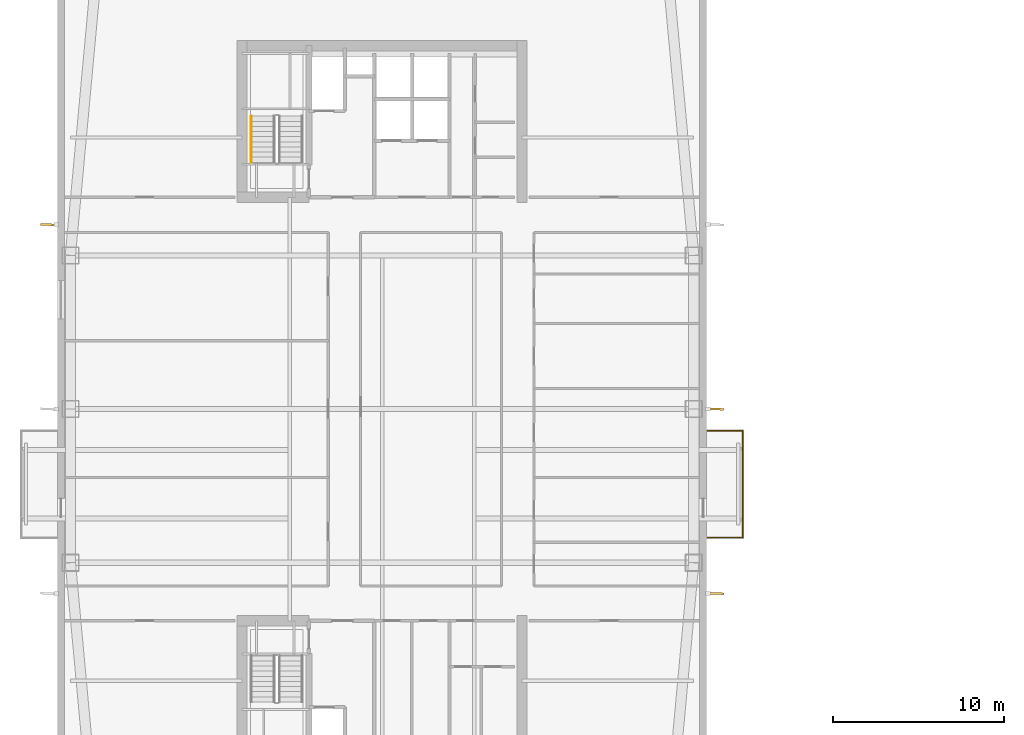
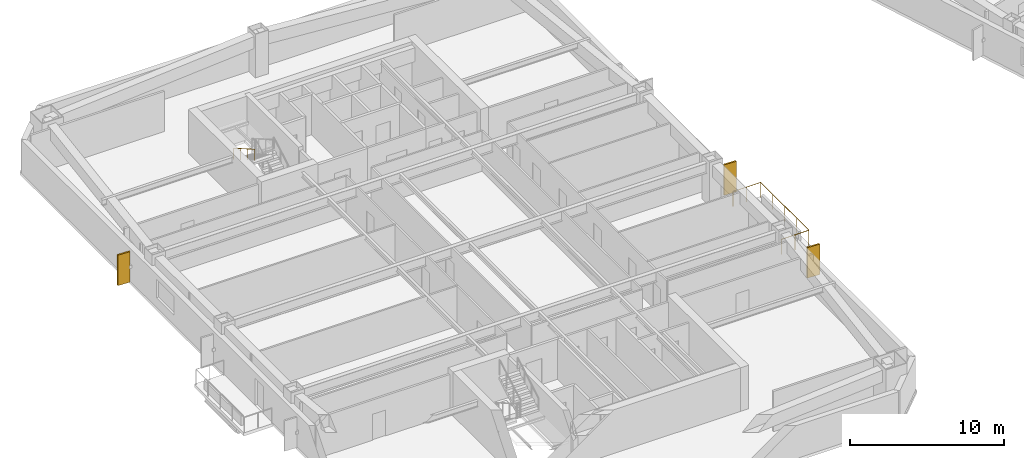
# One storey, part 14 of 17: 3 shading devices, 2 railings.
"""IFC4 building model written with IfcOpenShell, lengths in metres."""

from ifc_helpers import new_model, si_unit, direction, frame, origin, origin_2d, place, context, subcontext, project, spatial, rectangle, circle, extrude, material, layer, layer_set, type_object, element, save


model = new_model("IFC4")

# Units and contexts
model_context = context("Model", 3, precision=1e-05, world=origin(), true_north=direction((0.0, 1.0)))
body_context = subcontext(model_context, "Body", "Model", "MODEL_VIEW")
ifc_project = project(units=[si_unit("LENGTHUNIT", "METRE"), si_unit("AREAUNIT", "SQUARE_METRE"), si_unit("VOLUMEUNIT", "CUBIC_METRE"), si_unit("PLANEANGLEUNIT", "RADIAN"), si_unit("MASSUNIT", "GRAM", prefix="KILO")], contexts=[model_context])

# Site, building, storey
site_placement = place(None, origin())
site = spatial("IfcSite", under=ifc_project, at=site_placement, CompositionType="ELEMENT")
building_placement = place(site_placement, origin())
building = spatial("IfcBuilding", under=site, at=building_placement, Name="Qiaolan Cultural Towers", CompositionType="ELEMENT")
storey_placement = place(building_placement, frame((0.0, 0.0, 152.949951171875)))
storey = spatial("IfcBuildingStorey", under=building, at=storey_placement, Name="L40", CompositionType="ELEMENT", Elevation=152.949951171875)

# Railings
ifc_material_1 = material(Name="Laminated SentryGlas & Stainless Steel S31608 Balustrade", Category="steel")
railing_type_1 = type_object("IfcRailingType", Name="GRD-TERR-1200", PredefinedType="BALUSTRADE", material=ifc_material_1)
railing_1_placement = place(storey_placement, frame((49.050048828125, 26.47998046875, 0.0)))
element("IfcRailing", 1, at=railing_1_placement, inside=storey, type_object=railing_type_1, Name="L40 T1 Tree Balcony Guardrail E", PredefinedType="BALUSTRADE", context=body_context, shape_type="SweptSolid", body=[
    extrude(circle(Radius=0.02392578125, at=origin_2d()), frame((0.0, 0.0, 1.17578125), z_axis=(1.0, 0.0, 0.0), x_axis=(0.0, 1.0, 0.0)), (0.0, 0.0, 1.0), 2.070068359375),
    extrude(circle(Radius=0.02392578125, at=origin_2d()), frame((2.070068359375, 0.0, 1.17578125), z_axis=(0.0, 1.0, 0.0), x_axis=(-1.0, 0.0, 0.0)), (0.0, 0.0, 1.0), 6.239990234375),
    extrude(circle(Radius=0.02392578125, at=origin_2d()), frame((2.070068359375, 6.239990234375, 1.17578125), z_axis=(-1.0, 0.0, 0.0), x_axis=(0.0, -1.0, 0.0)), (0.0, 0.0, 1.0), 2.070068359375),
    extrude(circle(Radius=0.02099609375, at=origin_2d()), origin(), (0.0, 0.0, 1.0), 1.15185546875),
    extrude(circle(Radius=0.02099609375, at=origin_2d()), frame((1.03515625, 0.0, 0.0)), (0.0, 0.0, 1.0), 1.15185546875),
    extrude(circle(Radius=0.02099609375, at=origin_2d()), frame((2.070068359375, 0.0, 0.0)), (0.0, 0.0, 1.0), 1.15185546875),
    extrude(circle(Radius=0.02099609375, at=origin_2d()), frame((2.070068359375, 1.56005859375, 0.0)), (0.0, 0.0, 1.0), 1.15185546875),
    extrude(circle(Radius=0.02099609375, at=origin_2d()), frame((2.070068359375, 3.1201171875, 0.0)), (0.0, 0.0, 1.0), 1.15185546875),
    extrude(circle(Radius=0.02099609375, at=origin_2d()), frame((2.070068359375, 4.679931640625, 0.0)), (0.0, 0.0, 1.0), 1.15185546875),
    extrude(circle(Radius=0.02099609375, at=origin_2d()), frame((2.070068359375, 6.239990234375, 0.0)), (0.0, 0.0, 1.0), 1.15185546875),
    extrude(circle(Radius=0.02099609375, at=origin_2d()), frame((1.03515625, 6.239990234375, 0.0)), (0.0, 0.0, 1.0), 1.15185546875),
    extrude(circle(Radius=0.02099609375, at=origin_2d()), frame((0.0, 6.239990234375, 0.0)), (0.0, 0.0, 1.0), 1.15185546875),
])
ifc_material_2 = material(Name="Stainless Steel S30408 Tubular Handrail", Category="steel")
railing_type_2 = type_object("IfcRailingType", Name="RL-STAIR-HR", PredefinedType="HANDRAIL", material=ifc_material_2)
railing_2_placement = place(storey_placement, frame((22.35009765625, 51.14990234375, 1.8974609375)))
element("IfcRailing", 2, at=railing_2_placement, inside=storey, type_object=railing_type_2, Name="L40 ST-W2 stair handrail 2", PredefinedType="HANDRAIL", context=body_context, shape_type="SweptSolid", body=[
    extrude(circle(Radius=0.02392578125, at=origin_2d()), frame((0.0, 0.0, 0.8759765625), z_axis=(0.0, -0.866903762492, 0.498475542607), x_axis=(1.0, 0.0, 0.0)), (0.0, 0.0, 1.0), 3.114501953125),
    extrude(circle(Radius=0.02099609375, at=origin_2d()), origin(), (0.0, 0.0, 1.0), 0.851806640625),
    extrude(circle(Radius=0.02099609375, at=origin_2d()), frame((0.0, -0.89990234375, 0.517578125)), (0.0, 0.0, 1.0), 0.851806640625),
    extrude(circle(Radius=0.02099609375, at=origin_2d()), frame((0.0, -1.800048828125, 1.034912109375)), (0.0, 0.0, 1.0), 0.851806640625),
    extrude(circle(Radius=0.02099609375, at=origin_2d()), frame((0.0, -2.699951171875, 1.552490234375)), (0.0, 0.0, 1.0), 0.851806640625),
])

# Shading devices
ifc_material_3 = material(Name="Pierced Warm Terracotta Acoustic Fin", Category="masonry")
ifc_layer = layer(ifc_material_3, 0.1201171875)
ifc_layer_set = layer_set([ifc_layer], Name="Pierced Warm Terracotta Acoustic Fin")
shading_device_type = type_object("IfcShadingDeviceType", Name="SHD-FIN-PIERCED", PredefinedType="USERDEFINED", material=ifc_layer_set)
for number, where, z_axis, x_axis, name in (
    (3, (10.43994140625, 44.800048828125, 0.10009765625), (0.0, 0.0, 1.0), (0.998966827039, -0.045445335018, 0.0), "L40 T1 Expressive Precast Vertical Fin W3"),
    (4, (49.56005859375, 23.199951171875, 0.10009765625), (0.0, 0.0, 1.0), (0.998966827039, -0.045445335018, 0.0), "L40 T1 Expressive Precast Vertical Fin E1"),
    (5, (49.56005859375, 34.0, 0.10009765625), (0.0, 0.0, 1.0), (0.998966827039, -0.045445335018, 0.0), "L40 T1 Expressive Precast Vertical Fin E2"),
):
    element("IfcShadingDevice", number, at=place(storey_placement, frame(where, z_axis=z_axis, x_axis=x_axis)), inside=storey, type_object=shading_device_type, Name=name, ObjectType="FIN", PredefinedType="USERDEFINED", context=body_context, shape_type="SweptSolid", body=[
        extrude(rectangle(XDim=0.89990234375, YDim=0.1201171875, at=origin_2d()), origin(), (0.0, 0.0, 1.0), 2.409912109375),
    ])

save(model, "model.ifc")
